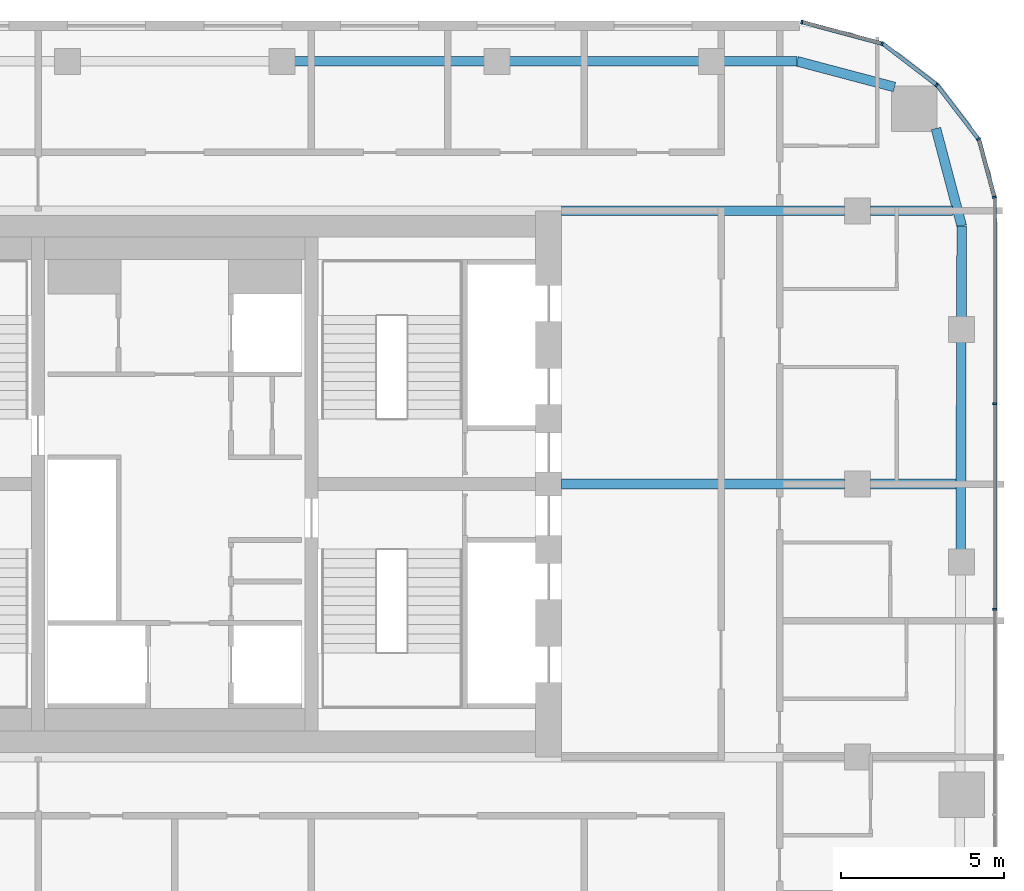
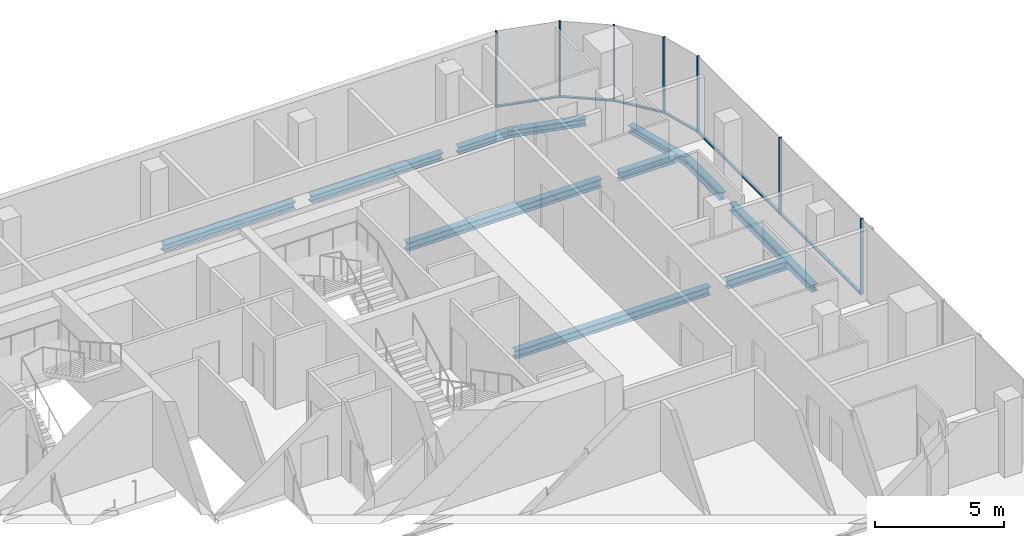
# One storey, part 11 of 21: 13 members, 11 beams, 5 elements without a shape of their own.
"""IFC4 building model written with IfcOpenShell, lengths in metres."""

from ifc_helpers import new_model, si_unit, direction, frame, origin, origin_2d, place, context, subcontext, project, spatial, rectangle, i_section, extrude, material, layer, layer_set, material_profile, profile_set, type_object, element, aggregate, save


model = new_model("IFC4")

# Units and contexts
model_context = context("Model", 3, precision=1e-05, world=origin(), true_north=direction((0.0, 1.0)))
body_context = subcontext(model_context, "Body", "Model", "MODEL_VIEW")
ifc_project = project(units=[si_unit("LENGTHUNIT", "METRE"), si_unit("AREAUNIT", "SQUARE_METRE"), si_unit("VOLUMEUNIT", "CUBIC_METRE"), si_unit("PLANEANGLEUNIT", "RADIAN"), si_unit("MASSUNIT", "GRAM", prefix="KILO")], contexts=[model_context])

# Site, building, storey
site_placement = place(None, origin())
site = spatial("IfcSite", under=ifc_project, at=site_placement, CompositionType="ELEMENT")
building_placement = place(site_placement, origin())
building = spatial("IfcBuilding", under=site, at=building_placement, Name="Marenta Gate Hotel Tower", CompositionType="ELEMENT")
storey_placement = place(building_placement, frame((0.0, 0.0, 245.300048828125)))
storey = spatial("IfcBuildingStorey", under=building, at=storey_placement, Name="L58", CompositionType="ELEMENT", Elevation=245.300048828125)

# Beams
ifc_material_1 = material(Name="Steel S355", Category="steel")
ifc_material_profile_1 = material_profile(ifc_material_1, i_section(OverallWidth=0.300048828125, OverallDepth=0.340087890625, WebThickness=0.011962890625, FlangeThickness=0.021484375, FilletRadius=0.027099609375, at=origin_2d()), Name="HEB 340")
ifc_profile_set_1 = profile_set([ifc_material_profile_1], Name="Steel S355")
beam_type_1 = type_object("IfcBeamType", Name="Edge beam HEB 340", PredefinedType="SPANDREL", material=ifc_profile_set_1)
for number, where, z_axis, x_axis, name in (
    (1, (3.661376953125, 21.39990234375, -0.429931640625), (1.0, 0.0, 0.0), (0.0, 1.0, 0.0), "L58-EB-17"),
    (2, (10.26416015625, 21.39990234375, -0.429931640625), (1.0, 0.0, 0.0), (0.0, 1.0, 0.0), "L58-EB-18"),
):
    element("IfcBeam", number, at=place(storey_placement, frame(where, z_axis=z_axis, x_axis=x_axis)), inside=storey, type_object=beam_type_1, Name=name, PredefinedType="SPANDREL", context=body_context, shape_type="SweptSolid", body=[
        extrude(i_section(OverallWidth=0.300048828125, OverallDepth=0.340087890625, WebThickness=0.011962890625, FlangeThickness=0.021484375, FilletRadius=0.027099609375, at=origin_2d()), origin(), (0.0, 0.0, 1.0), 5.8828125),
    ])
beam_1_placement = place(storey_placement, frame((16.866943359375, 21.39990234375, -0.429931640625), z_axis=(1.0, 0.0, 0.0), x_axis=(0.0, 1.0, 0.0)))
element("IfcBeam", 3, at=beam_1_placement, inside=storey, type_object=beam_type_1, Name="L58-EB-19", PredefinedType="SPANDREL", context=body_context, shape_type="SweptSolid", body=[
    extrude(i_section(OverallWidth=0.300048828125, OverallDepth=0.340087890625, WebThickness=0.011962890625, FlangeThickness=0.021484375, FilletRadius=0.027099609375, at=origin_2d()), origin(), (0.0, 0.0, 1.0), 2.267578125),
])
beam_2_placement = place(storey_placement, frame((19.134521484375, 21.39990234375, -0.429931640625), z_axis=(0.9667647815, -0.25566747398, 0.0), x_axis=(0.25566747398, 0.9667647815, 0.0)))
element("IfcBeam", 4, at=beam_2_placement, inside=storey, type_object=beam_type_1, Name="L58-EB-20", PredefinedType="SPANDREL", context=body_context, shape_type="SweptSolid", body=[
    extrude(i_section(OverallWidth=0.300048828125, OverallDepth=0.340087890625, WebThickness=0.011962890625, FlangeThickness=0.021484375, FilletRadius=0.027099609375, at=origin_2d()), origin(), (0.0, 0.0, 1.0), 3.1005859375),
])
beam_3_placement = place(storey_placement, frame((23.4072265625, 19.332275390625, -0.429931640625), z_axis=(0.255648013319, -0.966769927794, 0.0), x_axis=(0.966769927794, 0.255648013319, 0.0)))
element("IfcBeam", 5, at=beam_3_placement, inside=storey, type_object=beam_type_1, Name="L58-EB-21", PredefinedType="SPANDREL", context=body_context, shape_type="SweptSolid", body=[
    extrude(i_section(OverallWidth=0.300048828125, OverallDepth=0.340087890625, WebThickness=0.011962890625, FlangeThickness=0.021484375, FilletRadius=0.027099609375, at=origin_2d()), origin(), (0.0, 0.0, 1.0), 3.100830078125),
])
beam_4_placement = place(storey_placement, frame((24.199951171875, 16.33447265625, -0.429931640625), z_axis=(-0.003292020626, -0.999994581285, 0.0), x_axis=(0.999994581285, -0.003292020626, 0.0)))
element("IfcBeam", 6, at=beam_4_placement, inside=storey, type_object=beam_type_1, Name="L58-EB-22", PredefinedType="SPANDREL", context=body_context, shape_type="SweptSolid", body=[
    extrude(i_section(OverallWidth=0.300048828125, OverallDepth=0.340087890625, WebThickness=0.011962890625, FlangeThickness=0.021484375, FilletRadius=0.027099609375, at=origin_2d()), origin(), (0.0, 0.0, 1.0), 2.818115234375),
])
beam_5_placement = place(storey_placement, frame((24.188232421875, 12.79638671875, -0.429931640625), z_axis=(-0.00333963982, -0.999994423387, 0.0), x_axis=(0.999994423387, -0.00333963982, 0.0)))
element("IfcBeam", 7, at=beam_5_placement, inside=storey, type_object=beam_type_1, Name="L58-EB-23", PredefinedType="SPANDREL", context=body_context, shape_type="SweptSolid", body=[
    extrude(i_section(OverallWidth=0.300048828125, OverallDepth=0.340087890625, WebThickness=0.011962890625, FlangeThickness=0.021484375, FilletRadius=0.027099609375, at=origin_2d()), origin(), (0.0, 0.0, 1.0), 6.43310546875),
])
ifc_material_2 = material(Name="Steel S355", Category="steel")
ifc_material_profile_2 = material_profile(ifc_material_2, i_section(OverallWidth=0.300048828125, OverallDepth=0.39990234375, WebThickness=0.013427734375, FlangeThickness=0.02392578125, FilletRadius=0.027099609375, at=origin_2d()), Name="HEB 400")
ifc_profile_set_2 = profile_set([ifc_material_profile_2], Name="Steel S355")
beam_type_2 = type_object("IfcBeamType", Name="Girder HEB 400", PredefinedType="BEAM", material=ifc_profile_set_2)
beam_6_placement = place(storey_placement, frame((11.89990234375, 8.39990234375, -0.4599609375), z_axis=(1.0, 0.0, 0.0), x_axis=(0.0, 1.0, 0.0)))
element("IfcBeam", 8, at=beam_6_placement, inside=storey, type_object=beam_type_2, Name="L58-GD-27", PredefinedType="BEAM", context=body_context, shape_type="SweptSolid", body=[
    extrude(i_section(OverallWidth=0.300048828125, OverallDepth=0.39990234375, WebThickness=0.013427734375, FlangeThickness=0.02392578125, FilletRadius=0.027099609375, at=origin_2d()), origin(), (0.0, 0.0, 1.0), 8.7001953125),
])
beam_7_placement = place(storey_placement, frame((21.39990234375, 8.39990234375, -0.4599609375), z_axis=(1.0, 0.0, 0.0), x_axis=(0.0, 1.0, 0.0)))
element("IfcBeam", 9, at=beam_7_placement, inside=storey, type_object=beam_type_2, Name="L58-GD-28", PredefinedType="BEAM", context=body_context, shape_type="SweptSolid", body=[
    extrude(i_section(OverallWidth=0.300048828125, OverallDepth=0.39990234375, WebThickness=0.013427734375, FlangeThickness=0.02392578125, FilletRadius=0.027099609375, at=origin_2d()), origin(), (0.0, 0.0, 1.0), 2.623779296875),
])
beam_8_placement = place(storey_placement, frame((11.89990234375, 16.800048828125, -0.4599609375), z_axis=(1.0, 0.0, 0.0), x_axis=(0.0, 1.0, 0.0)))
element("IfcBeam", 10, at=beam_8_placement, inside=storey, type_object=beam_type_2, Name="L58-GD-32", PredefinedType="BEAM", context=body_context, shape_type="SweptSolid", body=[
    extrude(i_section(OverallWidth=0.300048828125, OverallDepth=0.39990234375, WebThickness=0.013427734375, FlangeThickness=0.02392578125, FilletRadius=0.027099609375, at=origin_2d()), origin(), (0.0, 0.0, 1.0), 8.7001953125),
])
beam_9_placement = place(storey_placement, frame((21.39990234375, 16.800048828125, -0.4599609375), z_axis=(1.0, 0.0, 0.0), x_axis=(0.0, 1.0, 0.0)))
element("IfcBeam", 11, at=beam_9_placement, inside=storey, type_object=beam_type_2, Name="L58-GD-33", PredefinedType="BEAM", context=body_context, shape_type="SweptSolid", body=[
    extrude(i_section(OverallWidth=0.300048828125, OverallDepth=0.39990234375, WebThickness=0.013427734375, FlangeThickness=0.02392578125, FilletRadius=0.027099609375, at=origin_2d()), origin(), (0.0, 0.0, 1.0), 2.521728515625),
])

# Curtain wall, members
ifc_material_3 = material(Name="Tinted insulated glass in bronze anodised frame", Category="glass")
ifc_layer = layer(ifc_material_3, 0.1201171875)
ifc_layer_set = layer_set([ifc_layer], Name="Tinted insulated glass in bronze anodised frame")
curtain_wall_type = type_object("IfcCurtainWallType", Name="Tower unitised curtain wall CW1", PredefinedType="NOTDEFINED", material=ifc_layer_set)
curtain_wall_1_placement = place(storey_placement, origin())
curtain_wall_1 = element("IfcCurtainWall", 12, at=curtain_wall_1_placement, inside=storey, type_object=curtain_wall_type, Name="CW1 run G11", PredefinedType="NOTDEFINED")
ifc_material_4 = material(Name="Bronze anodised aluminium", Category="aluminium")
ifc_material_profile_3 = material_profile(ifc_material_4, rectangle(XDim=0.1201171875, YDim=0.06005859375, at=origin_2d()), Name="Mullion CW1 60x120 bronze anodised aluminium")
ifc_profile_set_3 = profile_set([ifc_material_profile_3], Name="Bronze anodised aluminium")
member_type_1 = type_object("IfcMemberType", Name="Mullion CW1 60x120 bronze anodised aluminium", PredefinedType="MULLION", material=ifc_profile_set_3)
member_1_placement = place(storey_placement, frame((25.214111328125, 4.546630859375, 0.0), z_axis=(0.0, 0.0, 1.0), x_axis=(-1.0, 0.0, 0.0)))
member_1 = element("IfcMember", 13, at=member_1_placement, type_object=member_type_1, Name="CW1 mullion 5", PredefinedType="MULLION", context=body_context, shape_type="SweptSolid", body=[
    extrude(rectangle(XDim=0.1201171875, YDim=0.06005859375, at=origin_2d()), origin(), (0.0, 0.0, 1.0), 3.599853515625),
])
member_2_placement = place(storey_placement, frame((25.214111328125, 10.869384765625, 0.0), z_axis=(0.0, 0.0, 1.0), x_axis=(-1.0, 0.0, 0.0)))
member_2 = element("IfcMember", 14, at=member_2_placement, type_object=member_type_1, Name="CW1 mullion 6", PredefinedType="MULLION", context=body_context, shape_type="SweptSolid", body=[
    extrude(rectangle(XDim=0.1201171875, YDim=0.06005859375, at=origin_2d()), origin(), (0.0, 0.0, 1.0), 3.599853515625),
])

# Curtain wall, member
curtain_wall_2_placement = place(storey_placement, origin())
curtain_wall_2 = element("IfcCurtainWall", 15, at=curtain_wall_2_placement, inside=storey, type_object=curtain_wall_type, Name="CW1 run G12", PredefinedType="NOTDEFINED")
member_3_placement = place(storey_placement, frame((25.206298828125, 17.220947265625, 0.0), z_axis=(0.0, 0.0, 1.0), x_axis=(-0.965924453932, -0.258824166754, 0.0)))
member_3 = element("IfcMember", 16, at=member_3_placement, type_object=member_type_1, Name="CW1 mullion 1", PredefinedType="MULLION", context=body_context, shape_type="SweptSolid", body=[
    extrude(rectangle(XDim=0.1201171875, YDim=0.06005859375, at=origin_2d()), origin(), (0.0, 0.0, 1.0), 3.599853515625),
])

curtain_wall_3_placement = place(storey_placement, origin())
curtain_wall_3 = element("IfcCurtainWall", 17, at=curtain_wall_3_placement, inside=storey, type_object=curtain_wall_type, Name="CW1 run G13", PredefinedType="NOTDEFINED")
member_4_placement = place(storey_placement, frame((24.7158203125, 19.00634765625, 0.0), z_axis=(0.0, 0.0, 1.0), x_axis=(-0.793333335233, -0.608787499222, 0.0)))
member_4 = element("IfcMember", 18, at=member_4_placement, type_object=member_type_1, Name="CW1 mullion 1", PredefinedType="MULLION", context=body_context, shape_type="SweptSolid", body=[
    extrude(rectangle(XDim=0.1201171875, YDim=0.06005859375, at=origin_2d()), origin(), (0.0, 0.0, 1.0), 3.599853515625),
])

curtain_wall_4_placement = place(storey_placement, origin())
curtain_wall_4 = element("IfcCurtainWall", 19, at=curtain_wall_4_placement, inside=storey, type_object=curtain_wall_type, Name="CW1 run G14", PredefinedType="NOTDEFINED")
member_5_placement = place(storey_placement, frame((23.4287109375, 20.6708984375, 0.0), z_axis=(0.0, 0.0, 1.0), x_axis=(-0.608787499222, -0.793333335233, 0.0)))
member_5 = element("IfcMember", 20, at=member_5_placement, type_object=member_type_1, Name="CW1 mullion 1", PredefinedType="MULLION", context=body_context, shape_type="SweptSolid", body=[
    extrude(rectangle(XDim=0.1201171875, YDim=0.06005859375, at=origin_2d()), origin(), (0.0, 0.0, 1.0), 3.599853515625),
])

# Curtain wall, members
curtain_wall_5_placement = place(storey_placement, origin())
curtain_wall_5 = element("IfcCurtainWall", 21, at=curtain_wall_5_placement, inside=storey, type_object=curtain_wall_type, Name="CW1 run G15", PredefinedType="NOTDEFINED")
member_6_placement = place(storey_placement, frame((21.75341796875, 21.94189453125, 0.0), z_axis=(0.0, 0.0, 1.0), x_axis=(-0.258804895175, -0.96592961764, 0.0)))
member_6 = element("IfcMember", 22, at=member_6_placement, type_object=member_type_1, Name="CW1 mullion 1", PredefinedType="MULLION", context=body_context, shape_type="SweptSolid", body=[
    extrude(rectangle(XDim=0.1201171875, YDim=0.06005859375, at=origin_2d()), origin(), (0.0, 0.0, 1.0), 3.599853515625),
])
member_7_placement = place(storey_placement, frame((19.285400390625, 22.603271484375, 0.0), z_axis=(0.0, 0.0, 1.0), x_axis=(-0.258804895175, -0.96592961764, 0.0)))
member_7 = element("IfcMember", 23, at=member_7_placement, type_object=member_type_1, Name="CW1 mullion 2", PredefinedType="MULLION", context=body_context, shape_type="SweptSolid", body=[
    extrude(rectangle(XDim=0.1201171875, YDim=0.06005859375, at=origin_2d()), origin(), (0.0, 0.0, 1.0), 3.599853515625),
])

# Member
ifc_material_5 = material(Name="Bronze anodised aluminium", Category="aluminium")
ifc_material_profile_4 = material_profile(ifc_material_5, rectangle(XDim=0.1201171875, YDim=0.06005859375, at=origin_2d()), Name="Transom CW1 60x120 bronze anodised aluminium")
ifc_profile_set_4 = profile_set([ifc_material_profile_4], Name="Bronze anodised aluminium")
member_type_2 = type_object("IfcMemberType", Name="Transom CW1 60x120 bronze anodised aluminium", PredefinedType="USERDEFINED", material=ifc_profile_set_4)
member_8_placement = place(storey_placement, frame((25.214111328125, 4.57666015625, 0.030029296875), z_axis=(0.0, 1.0, 0.0), x_axis=(-1.0, 0.0, 0.0)))
member_8 = element("IfcMember", 24, at=member_8_placement, type_object=member_type_2, Name="CW1 transom 5.1", ObjectType="TRANSOM", PredefinedType="USERDEFINED", context=body_context, shape_type="SweptSolid", body=[
    extrude(rectangle(XDim=0.1201171875, YDim=0.06005859375, at=origin_2d()), origin(), (0.0, 0.0, 1.0), 6.2626953125),
])

member_9_placement = place(storey_placement, frame((25.214111328125, 10.899169921875, 0.030029296875), z_axis=(0.0, 1.0, 0.0), x_axis=(-1.0, 0.0, 0.0)))
member_9 = element("IfcMember", 25, at=member_9_placement, type_object=member_type_2, Name="CW1 transom 6.1", ObjectType="TRANSOM", PredefinedType="USERDEFINED", context=body_context, shape_type="SweptSolid", body=[
    extrude(rectangle(XDim=0.1201171875, YDim=0.06005859375, at=origin_2d()), origin(), (0.0, 0.0, 1.0), 6.292724609375),
])

aggregate(curtain_wall_1, [member_1, member_2, member_8, member_9])

member_10_placement = place(storey_placement, frame((25.198486328125, 17.249755859375, 0.030029296875), z_axis=(-0.258865341007, 0.96591342015, 0.0), x_axis=(-0.96591342015, -0.258865341007, 0.0)))
member_10 = element("IfcMember", 26, at=member_10_placement, type_object=member_type_2, Name="CW1 transom 1.1", ObjectType="TRANSOM", PredefinedType="USERDEFINED", context=body_context, shape_type="SweptSolid", body=[
    extrude(rectangle(XDim=0.1201171875, YDim=0.06005859375, at=origin_2d()), origin(), (0.0, 0.0, 1.0), 1.793701171875),
])

aggregate(curtain_wall_2, [member_3, member_10])

member_11_placement = place(storey_placement, frame((24.69775390625, 19.030029296875, 0.030029296875), z_axis=(-0.608787337271, 0.79333345951, 0.0), x_axis=(-0.79333345951, -0.608787337271, 0.0)))
member_11 = element("IfcMember", 27, at=member_11_placement, type_object=member_type_2, Name="CW1 transom 1.1", ObjectType="TRANSOM", PredefinedType="USERDEFINED", context=body_context, shape_type="SweptSolid", body=[
    extrude(rectangle(XDim=0.1201171875, YDim=0.06005859375, at=origin_2d()), origin(), (0.0, 0.0, 1.0), 2.045166015625),
])

aggregate(curtain_wall_3, [member_4, member_11])

member_12_placement = place(storey_placement, frame((23.405029296875, 20.689208984375, 0.030029296875), z_axis=(-0.793391112466, 0.60871220019, 0.0), x_axis=(-0.60871220019, -0.793391112466, 0.0)))
member_12 = element("IfcMember", 28, at=member_12_placement, type_object=member_type_2, Name="CW1 transom 1.1", ObjectType="TRANSOM", PredefinedType="USERDEFINED", context=body_context, shape_type="SweptSolid", body=[
    extrude(rectangle(XDim=0.1201171875, YDim=0.06005859375, at=origin_2d()), origin(), (0.0, 0.0, 1.0), 2.045166015625),
])

aggregate(curtain_wall_4, [member_5, member_12])

member_13_placement = place(storey_placement, frame((21.724609375, 21.94970703125, 0.030029296875), z_axis=(-0.965930582093, 0.258801295547, 0.0), x_axis=(-0.258801295547, -0.965930582093, 0.0)))
member_13 = element("IfcMember", 29, at=member_13_placement, type_object=member_type_2, Name="CW1 transom 1.1", ObjectType="TRANSOM", PredefinedType="USERDEFINED", context=body_context, shape_type="SweptSolid", body=[
    extrude(rectangle(XDim=0.1201171875, YDim=0.06005859375, at=origin_2d()), origin(), (0.0, 0.0, 1.0), 2.4951171875),
])

aggregate(curtain_wall_5, [member_6, member_7, member_13])

save(model, "model.ifc")
